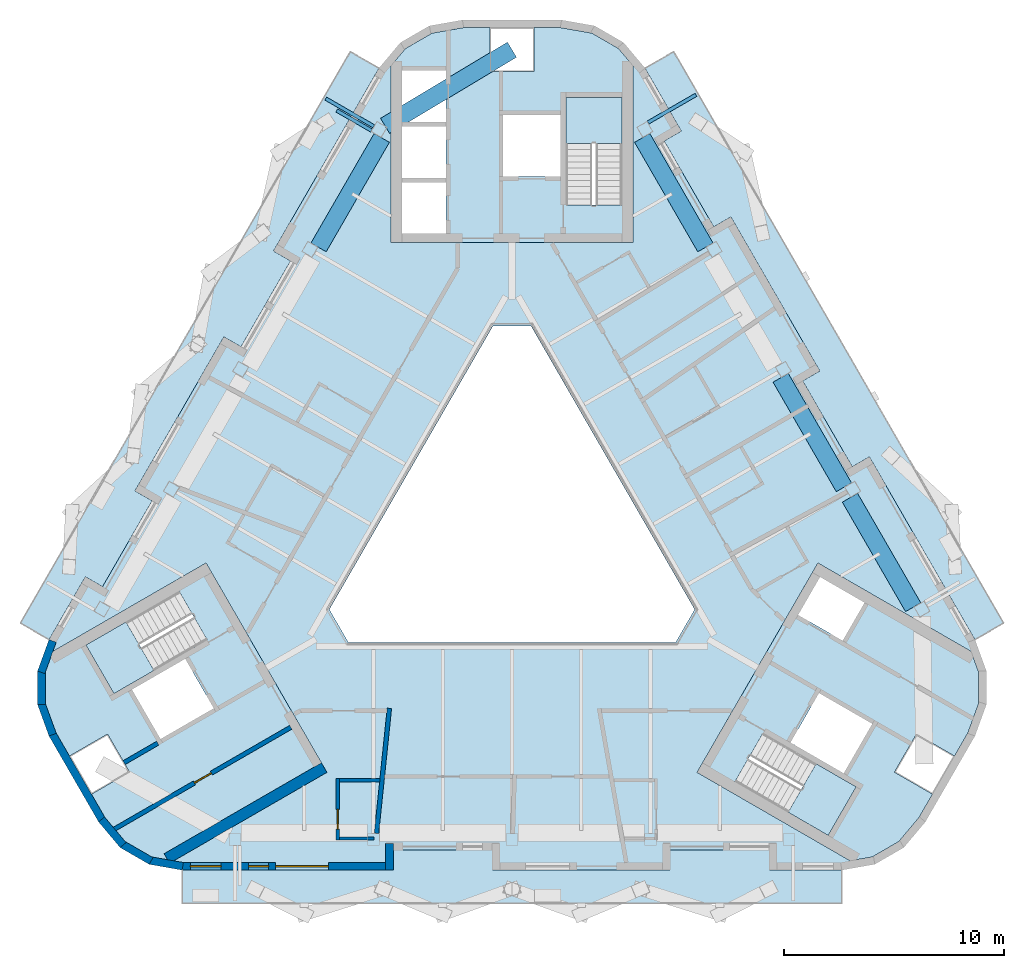
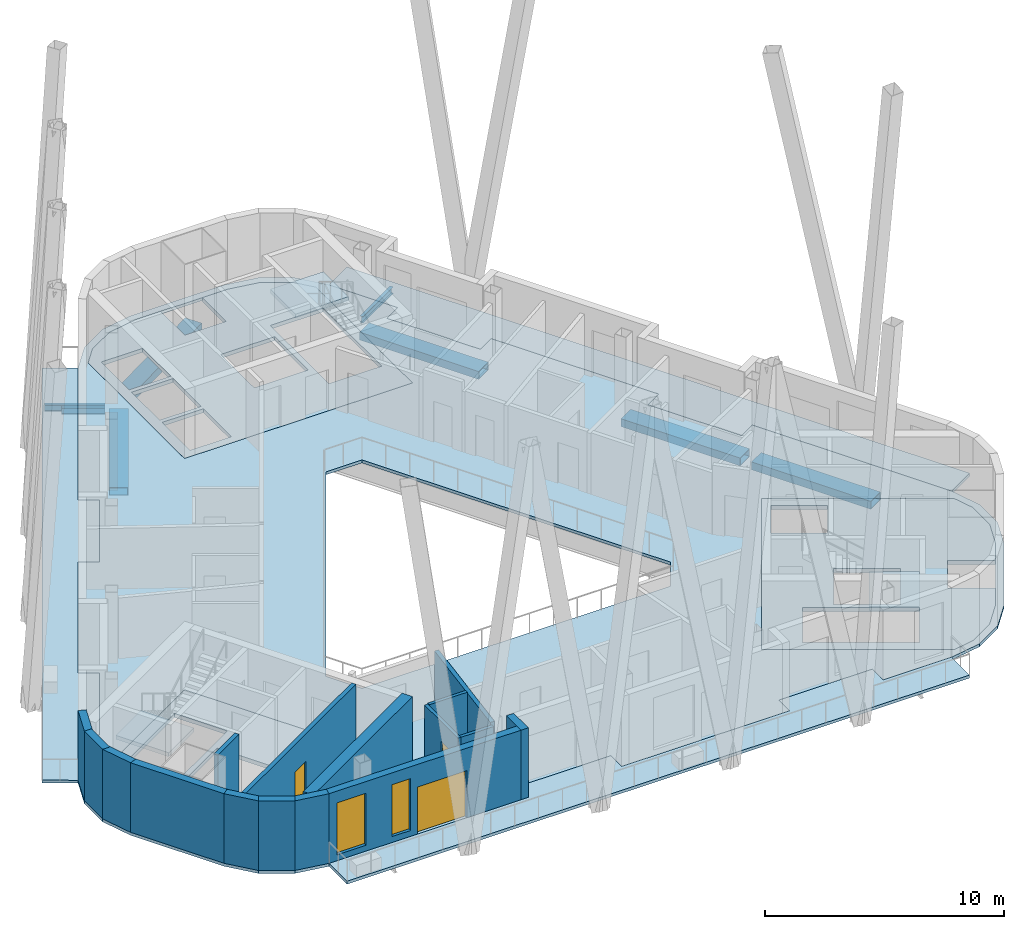
# One storey, part 2 of 12: 16 walls, 10 slabs, 8 beams, 3 doors, 2 windows, 5 openings, 3 elements without a shape of their own.
"""IFC4 building model written with IfcOpenShell, lengths in metres."""

from ifc_helpers import new_model, si_unit, direction, frame, frame_2d, origin, origin_2d, place, context, subcontext, project, spatial, polyline, rectangle, hollow_rectangle, i_section, outline, extrude, material, layer, layer_set, material_profile, profile_set, type_object, element, fill, aggregate, save


model = new_model("IFC4")

# Units and contexts
model_context = context("Model", 3, precision=1e-05, world=origin(), true_north=direction((0.0, 1.0)))
body_context = subcontext(model_context, "Body", "Model", "MODEL_VIEW")
ifc_project = project(units=[si_unit("LENGTHUNIT", "METRE"), si_unit("AREAUNIT", "SQUARE_METRE"), si_unit("VOLUMEUNIT", "CUBIC_METRE"), si_unit("PLANEANGLEUNIT", "RADIAN"), si_unit("MASSUNIT", "GRAM", prefix="KILO")], contexts=[model_context])

# Site, building, storey
site_placement = place(None, origin())
site = spatial("IfcSite", under=ifc_project, at=site_placement, CompositionType="ELEMENT")
building_placement = place(site_placement, origin())
building = spatial("IfcBuilding", under=site, at=building_placement, Name="Apuvela Tower Hotel", CompositionType="ELEMENT")
storey_placement = place(building_placement, frame((0.0, 0.0, 324.39990234375)))
storey = spatial("IfcBuildingStorey", under=building, at=storey_placement, Name="L81", CompositionType="ELEMENT", Elevation=324.39990234375)

# Beams
ifc_material_1 = material(Name="Steel S355", Category="steel")
ifc_material_profile_1 = material_profile(ifc_material_1, i_section(OverallWidth=0.159912109375, OverallDepth=0.330078125, WebThickness=0.007568359375, FlangeThickness=0.011474609375, at=origin_2d()), Name="IPE 330")
ifc_profile_set_1 = profile_set([ifc_material_profile_1], Name="Steel S355")
beam_type_1 = type_object("IfcBeamType", Name="ENV-BALCONY-BEAM-IPE330", PredefinedType="BEAM", material=ifc_profile_set_1)
for number, where, z_axis, x_axis, name in (
    (1, (6.185546875, 18.35693359375, -0.31494140625), (0.866039067339, 0.499976333282, 0.0), (-0.499976333282, 0.866039067339, 0.0), "Balcony cantilever beam NE3 L81"),
    (2, (-6.28564453125, 18.183837890625, -0.31494140625), (-0.866039067339, 0.499976333282, 0.0), (-0.499976333282, -0.866039067339, 0.0), "Balcony cantilever beam NW1 L81"),
):
    element("IfcBeam", number, at=place(storey_placement, frame(where, z_axis=z_axis, x_axis=x_axis)), inside=storey, type_object=beam_type_1, Name=name, PredefinedType="BEAM", context=body_context, shape_type="SweptSolid", body=[
        extrude(i_section(OverallWidth=0.159912109375, OverallDepth=0.330078125, WebThickness=0.007568359375, FlangeThickness=0.011474609375, at=origin_2d()), origin(), (0.0, 0.0, 1.0), 2.52490234375),
    ])
beam_1_placement = place(storey_placement, frame((-6.3955078125, 17.993408203125, -0.31494140625), z_axis=(-0.866069751741, 0.499923179218, 0.0), x_axis=(-0.499923179218, -0.866069751741, 0.0)))
element("IfcBeam", 3, at=beam_1_placement, inside=storey, type_object=beam_type_1, Name="Balcony cantilever beam NW2 L81", PredefinedType="BEAM", context=body_context, shape_type="SweptSolid", body=[
    extrude(i_section(OverallWidth=0.159912109375, OverallDepth=0.330078125, WebThickness=0.007568359375, FlangeThickness=0.011474609375, at=origin_2d()), origin(), (0.0, 0.0, 1.0), 1.824951171875),
])
ifc_material_2 = material(Name="Steel S460", Category="steel")
ifc_material_profile_2 = material_profile(ifc_material_2, hollow_rectangle(XDim=0.800048828125, YDim=0.39990234375, WallThickness=0.02490234375, at=origin_2d()), Name="BOX 800x400x25")
ifc_profile_set_2 = profile_set([ifc_material_profile_2], Name="Steel S460")
beam_type_2 = type_object("IfcBeamType", Name="STR-RB perimeter ring beam BOX 800x400x25", PredefinedType="SPANDREL", material=ifc_profile_set_2)
beam_2_placement = place(storey_placement, frame((18.2548828125, -3.69775390625, -0.39990234375), z_axis=(-0.499973507871, 0.866040698482, 0.0), x_axis=(-0.866040698482, -0.499973507871, 0.0)))
element("IfcBeam", 4, at=beam_2_placement, inside=storey, type_object=beam_type_2, Name="Ring beam RB1 NE1", PredefinedType="SPANDREL", context=body_context, shape_type="SweptSolid", body=[
    extrude(hollow_rectangle(XDim=0.800048828125, YDim=0.39990234375, WallThickness=0.02490234375, at=origin_2d()), origin(), (0.0, 0.0, 1.0), 5.752197265625),
])
for number, where, z_axis, x_axis, name in (
    (5, (15.103759765625, 1.76025390625, -0.39990234375), (-0.500005339912, 0.866022320763, 0.0), (-0.866022320763, -0.500005339912, 0.0), "Ring beam RB1 NE2"),
    (6, (8.80126953125, 12.676513671875, -0.39990234375), (-0.500005339912, 0.866022320763, 0.0), (-0.866022320763, -0.500005339912, 0.0), "Ring beam RB1 NE4"),
    (7, (-5.925048828125, 17.658203125, -0.39990234375), (-0.500005339912, -0.866022320763, 0.0), (0.866022320763, -0.500005339912, 0.0), "Ring beam RB1 NW1"),
):
    element("IfcBeam", number, at=place(storey_placement, frame(where, z_axis=z_axis, x_axis=x_axis)), inside=storey, type_object=beam_type_2, Name=name, PredefinedType="SPANDREL", context=body_context, shape_type="SweptSolid", body=[
        extrude(hollow_rectangle(XDim=0.800048828125, YDim=0.39990234375, WallThickness=0.02490234375, at=origin_2d()), origin(), (0.0, 0.0, 1.0), 5.75244140625),
    ])
beam_3_placement = place(storey_placement, frame((-5.777587890625, 18.2080078125, -0.39990234375), z_axis=(0.85754088229, 0.514415819353, 0.0), x_axis=(-0.514415819353, 0.85754088229, 0.0)))
element("IfcBeam", 8, at=beam_3_placement, inside=storey, type_object=beam_type_2, Name="Ring beam RB1 NW1-N", PredefinedType="SPANDREL", context=body_context, shape_type="SweptSolid", body=[
    extrude(hollow_rectangle(XDim=0.800048828125, YDim=0.39990234375, WallThickness=0.02490234375, at=origin_2d()), origin(), (0.0, 0.0, 1.0), 6.7373046875),
])

# Slabs
ifc_material_3 = material(Name="Concrete C50/60", Category="concrete")
ifc_layer_1 = layer(ifc_material_3, 0.199951171875)
ifc_layer_set_1 = layer_set([ifc_layer_1], Name="COR-FLOOR-200")
slab_type_1 = type_object("IfcSlabType", Name="COR-FLOOR-200", PredefinedType="FLOOR", material=ifc_layer_set_1)
slab_1_placement = place(storey_placement, frame((0.0, 0.0, -0.199951171875)))
element("IfcSlab", 9, at=slab_1_placement, inside=storey, type_object=slab_type_1, Name="Core floor N", PredefinedType="FLOOR", context=body_context, shape_type="SweptSolid", body=[
    extrude(outline(polyline([(4.848876953125, 21.72509765625), (3.635986328125, 22.42529296875), (2.226318359375, 22.673828125), (1.0, 22.673828125), (1.0, 20.673828125), (-1.0, 20.673828125), (-1.0, 22.673828125), (-2.226318359375, 22.673828125), (-3.635986328125, 22.42529296875), (-4.848876953125, 21.72509765625), (-5.5, 20.94921875), (-5.5, 12.89990234375), (5.5, 12.89990234375), (5.5, 20.94921875), (4.848876953125, 21.72509765625)]), holes=[polyline([(-3.0, 13.300048828125), (-5.0, 13.300048828125), (-5.0, 15.639892578125), (-3.0, 15.639892578125), (-3.0, 13.300048828125)]), polyline([(-3.0, 15.840087890625), (-5.0, 15.840087890625), (-5.0, 18.179931640625), (-3.0, 18.179931640625), (-3.0, 15.840087890625)]), polyline([(5.0, 14.60595703125), (2.449951171875, 14.60595703125), (2.449951171875, 19.5), (5.0, 19.5), (5.0, 14.60595703125)]), polyline([(2.199951171875, 18.699951171875), (2.199951171875, 15.89990234375), (-0.39990234375, 15.89990234375), (-0.39990234375, 18.699951171875), (2.199951171875, 18.699951171875)]), polyline([(-3.0, 20.719970703125), (-3.0, 18.3798828125), (-5.0, 18.3798828125), (-5.0, 20.719970703125), (-3.0, 20.719970703125)])]), origin(), (0.0, 0.0, 1.0), 0.199951171875),
])
slab_2_placement = place(storey_placement, frame((0.0, 0.0, -0.199951171875)))
element("IfcSlab", 10, at=slab_2_placement, inside=storey, type_object=slab_type_1, Name="Core floor SW", PredefinedType="FLOOR", context=body_context, shape_type="SweptSolid", body=[
    extrude(outline(polyline([(-21.239013671875, -6.663330078125), (-21.239013671875, -8.063720703125), (-20.749267578125, -9.408935546875), (-20.135986328125, -10.470947265625), (-18.404052734375, -9.470947265625), (-17.404052734375, -11.202880859375), (-19.135986328125, -12.202880859375), (-18.52294921875, -13.264892578125), (-17.602783203125, -14.361572265625), (-16.389892578125, -15.061767578125), (-15.392578125, -15.23779296875), (-8.421630859375, -11.213134765625), (-13.921630859375, -1.68701171875), (-20.892578125, -5.71142578125), (-21.239013671875, -6.663330078125)]), holes=[polyline([(-13.874267578125, -5.18115234375), (-18.112548828125, -7.628173828125), (-19.387451171875, -5.419921875), (-15.149169921875, -2.972900390625), (-13.874267578125, -5.18115234375)]), polyline([(-13.56982421875, -8.29638671875), (-15.99462890625, -9.6962890625), (-17.294677734375, -7.444580078125), (-14.869873046875, -6.044677734375), (-13.56982421875, -8.29638671875)])]), origin(), (0.0, 0.0, 1.0), 0.199951171875),
])
slab_3_placement = place(storey_placement, frame((0.0, 0.0, -0.199951171875)))
element("IfcSlab", 11, at=slab_3_placement, inside=storey, type_object=slab_type_1, Name="Core floor SE", PredefinedType="FLOOR", context=body_context, shape_type="SweptSolid", body=[
    extrude(outline(polyline([(16.389892578125, -15.061767578125), (17.602783203125, -14.361572265625), (18.52294921875, -13.264892578125), (19.135986328125, -12.202880859375), (17.404052734375, -11.202880859375), (18.404052734375, -9.470947265625), (20.135986328125, -10.470947265625), (20.749267578125, -9.408935546875), (21.239013671875, -8.063720703125), (21.239013671875, -6.663330078125), (20.892578125, -5.71142578125), (13.921630859375, -1.68701171875), (8.421630859375, -11.213134765625), (15.392578125, -15.23779296875), (16.389892578125, -15.061767578125)]), holes=[polyline([(14.01806640625, -2.31982421875), (16.044677734375, -3.489990234375), (15.044677734375, -5.221923828125), (13.01806640625, -4.052001953125), (14.01806640625, -2.31982421875)]), polyline([(10.149169921875, -11.633056640625), (11.42431640625, -9.4248046875), (15.66259765625, -11.871826171875), (14.387451171875, -14.080078125), (10.149169921875, -11.633056640625)]), polyline([(12.669921875, -9.855224609375), (13.9697265625, -7.603515625), (16.394775390625, -9.003662109375), (15.0947265625, -11.25537109375), (12.669921875, -9.855224609375)])]), origin(), (0.0, 0.0, 1.0), 0.199951171875),
])

# Stair, slab
stair_type = type_object("IfcStairType", Name="COR-STAIR-22R", PredefinedType="HALF_TURN_STAIR", material=ifc_material_3)
stair_1_placement = place(storey_placement, origin())
stair_1 = element("IfcStair", 12, at=stair_1_placement, inside=storey, type_object=stair_type, Name="L81 Exit stair ST1", PredefinedType="HALF_TURN_STAIR")
ifc_layer_2 = layer(ifc_material_3, 0.199951171875)
ifc_layer_set_2 = layer_set([ifc_layer_2], Name="COR-LANDING-200")
slab_type_2 = type_object("IfcSlabType", Name="COR-LANDING-200", PredefinedType="LANDING", material=ifc_layer_set_2)
slab_4_placement = place(storey_placement, frame((0.0, 0.0, 1.650146484375)))
slab_4 = element("IfcSlab", 13, at=slab_4_placement, type_object=slab_type_2, Name="ST1 landing 1", PredefinedType="LANDING", context=body_context, shape_type="SweptSolid", body=[
    extrude(outline(polyline([(5.0, 17.39404296875), (5.0, 19.5), (2.449951171875, 19.5), (2.449951171875, 17.39404296875), (5.0, 17.39404296875)])), origin(), (0.0, 0.0, 1.0), 0.199951171875),
])
aggregate(stair_1, [slab_4])

stair_2_placement = place(storey_placement, origin())
stair_2 = element("IfcStair", 14, at=stair_2_placement, inside=storey, type_object=stair_type, Name="L81 Exit stair ST2", PredefinedType="HALF_TURN_STAIR")
slab_5_placement = place(storey_placement, frame((0.0, 0.0, 1.650146484375)))
slab_5 = element("IfcSlab", 15, at=slab_5_placement, type_object=slab_type_2, Name="ST2 landing 1", PredefinedType="LANDING", context=body_context, shape_type="SweptSolid", body=[
    extrude(outline(polyline([(-17.563720703125, -4.366943359375), (-19.387451171875, -5.419921875), (-18.112548828125, -7.628173828125), (-16.28857421875, -6.5751953125), (-17.563720703125, -4.366943359375)])), origin(), (0.0, 0.0, 1.0), 0.199951171875),
])
aggregate(stair_2, [slab_5])

stair_3_placement = place(storey_placement, origin())
stair_3 = element("IfcStair", 16, at=stair_3_placement, inside=storey, type_object=stair_type, Name="L81 Exit stair ST3", PredefinedType="HALF_TURN_STAIR")
slab_6_placement = place(storey_placement, frame((0.0, 0.0, 1.650146484375)))
slab_6 = element("IfcSlab", 17, at=slab_6_placement, type_object=slab_type_2, Name="ST3 landing 1", PredefinedType="LANDING", context=body_context, shape_type="SweptSolid", body=[
    extrude(outline(polyline([(12.563720703125, -13.027099609375), (14.387451171875, -14.080078125), (15.66259765625, -11.871826171875), (13.838623046875, -10.81884765625), (12.563720703125, -13.027099609375)])), origin(), (0.0, 0.0, 1.0), 0.199951171875),
])
aggregate(stair_3, [slab_6])

# Slabs
ifc_material_4 = material(Name="Concrete C40/50, fair-faced", Category="concrete")
ifc_layer_3 = layer(ifc_material_4, 0.14990234375)
ifc_layer_set_3 = layer_set([ifc_layer_3], Name="ENV-BALCONY-150")
slab_type_3 = type_object("IfcSlabType", Name="ENV-BALCONY-150", PredefinedType="FLOOR", material=ifc_layer_set_3)
slab_7_placement = place(storey_placement, frame((0.0, 0.0, -0.14990234375)))
element("IfcSlab", 18, at=slab_7_placement, inside=storey, type_object=slab_type_3, Name="Balcony slab S L81", PredefinedType="FLOOR", context=body_context, shape_type="SweptSolid", body=[
    extrude(outline(polyline([(-15.015869140625, -15.655517578125), (-5.407470703125, -15.655517578125), (-5.407470703125, -14.75537109375), (-0.89501953125, -14.75537109375), (-0.89501953125, -15.655517578125), (7.197509765625, -15.655517578125), (7.197509765625, -14.75537109375), (11.7099609375, -14.75537109375), (11.7099609375, -15.655517578125), (15.015869140625, -15.655517578125), (15.015869140625, -17.165283203125), (-15.015869140625, -17.165283203125), (-15.015869140625, -15.655517578125)])), origin(), (0.0, 0.0, 1.0), 0.14990234375),
])
slab_8_placement = place(storey_placement, frame((0.0, 0.0, -0.14990234375)))
element("IfcSlab", 19, at=slab_8_placement, inside=storey, type_object=slab_type_3, Name="Balcony slab NE L81", PredefinedType="FLOOR", context=body_context, shape_type="SweptSolid", body=[
    extrude(outline(polyline([(14.00537109375, 7.052490234375), (9.959228515625, 14.060791015625), (9.1796875, 13.61083984375), (6.923583984375, 17.518798828125), (7.702880859375, 17.96875), (6.050048828125, 20.831787109375), (7.357666015625, 21.5869140625), (22.37353515625, -4.42138671875), (21.06591796875, -5.176513671875), (16.26171875, 3.144775390625), (15.482421875, 2.694580078125), (13.22607421875, 6.6025390625), (14.00537109375, 7.052490234375)])), origin(), (0.0, 0.0, 1.0), 0.14990234375),
])
slab_9_placement = place(storey_placement, frame((0.0, 0.0, -0.14990234375)))
element("IfcSlab", 20, at=slab_9_placement, inside=storey, type_object=slab_type_3, Name="Balcony slab NW L81", PredefinedType="FLOOR", context=body_context, shape_type="SweptSolid", body=[
    extrude(outline(polyline([(-22.37353515625, -4.42138671875), (-7.357666015625, 21.5869140625), (-6.050048828125, 20.831787109375), (-10.854248046875, 12.5107421875), (-10.07470703125, 12.060791015625), (-12.3310546875, 8.152587890625), (-13.110595703125, 8.602783203125), (-17.15673828125, 1.594482421875), (-16.377197265625, 1.14453125), (-18.633544921875, -2.763427734375), (-19.412841796875, -2.3134765625), (-21.06591796875, -5.176513671875), (-22.37353515625, -4.42138671875)])), origin(), (0.0, 0.0, 1.0), 0.14990234375),
])
ifc_material_5 = material(Name="Concrete C35/45", Category="concrete")
ifc_layer_4 = layer(ifc_material_5, 0.14990234375)
ifc_layer_set_4 = layer_set([ifc_layer_4], Name="STR-SLAB 150 floor Concrete C35/45")
slab_type_4 = type_object("IfcSlabType", Name="STR-SLAB 150 floor Concrete C35/45", PredefinedType="FLOOR", material=ifc_layer_set_4)
slab_10_placement = place(storey_placement, frame((0.0, 0.0, -0.14990234375)))
element("IfcSlab", 21, at=slab_10_placement, inside=storey, type_object=slab_type_4, Name="Floor slab S4 L81", PredefinedType="FLOOR", context=body_context, shape_type="SweptSolid", body=[
    extrude(outline(polyline([(-5.077392578125, 21.997314453125), (-3.757568359375, 22.75927734375), (-2.2568359375, 23.02392578125), (2.2568359375, 23.02392578125), (3.757568359375, 22.75927734375), (5.077392578125, 21.997314453125), (6.056884765625, 20.830078125), (7.709716796875, 17.967041015625), (6.930419921875, 17.51708984375), (9.181640625, 13.61767578125), (9.961181640625, 14.067626953125), (14.01220703125, 7.05078125), (13.23291015625, 6.600830078125), (15.484130859375, 2.701416015625), (16.263427734375, 3.151611328125), (21.067626953125, -5.169677734375), (21.5888671875, -6.6015625), (21.5888671875, -8.12548828125), (21.067626953125, -9.557373046875), (18.810791015625, -13.466552734375), (17.831298828125, -14.6337890625), (16.51171875, -15.395751953125), (15.010986328125, -15.660400390625), (11.704833984375, -15.660400390625), (11.704833984375, -14.760498046875), (7.202392578125, -14.760498046875), (7.202392578125, -15.660400390625), (-0.89990234375, -15.660400390625), (-0.89990234375, -14.760498046875), (-5.402587890625, -14.760498046875), (-5.402587890625, -15.660400390625), (-15.010986328125, -15.660400390625), (-16.51171875, -15.395751953125), (-17.831298828125, -14.6337890625), (-18.810791015625, -13.466552734375), (-21.067626953125, -9.557373046875), (-21.5888671875, -8.12548828125), (-21.5888671875, -6.6015625), (-21.067626953125, -5.169677734375), (-19.414794921875, -2.306640625), (-18.63525390625, -2.756591796875), (-16.384033203125, 1.142578125), (-17.16357421875, 1.5927734375), (-13.1123046875, 8.609619140625), (-12.3330078125, 8.15966796875), (-10.08154296875, 12.058837890625), (-10.861083984375, 12.5087890625), (-6.056884765625, 20.830078125), (-5.077392578125, 21.997314453125)]), holes=[polyline([(0.865966796875, 9.10009765625), (-0.865966796875, 9.10009765625), (-8.313720703125, -3.800048828125), (-7.44775390625, -5.300048828125), (7.44775390625, -5.300048828125), (8.313720703125, -3.800048828125), (0.865966796875, 9.10009765625)]), polyline([(-5.5, 12.89990234375), (-5.5, 20.94921875), (-4.848876953125, 21.72509765625), (-3.635986328125, 22.42529296875), (-2.226318359375, 22.673828125), (2.226318359375, 22.673828125), (3.635986328125, 22.42529296875), (4.848876953125, 21.72509765625), (5.5, 20.94921875), (5.5, 12.89990234375), (-5.5, 12.89990234375)]), polyline([(-8.421630859375, -11.213134765625), (-15.392578125, -15.23779296875), (-16.389892578125, -15.061767578125), (-17.602783203125, -14.361572265625), (-18.52294921875, -13.264892578125), (-20.749267578125, -9.408935546875), (-21.239013671875, -8.063720703125), (-21.239013671875, -6.663330078125), (-20.892578125, -5.71142578125), (-13.921630859375, -1.68701171875), (-8.421630859375, -11.213134765625)]), polyline([(13.921630859375, -1.68701171875), (20.892578125, -5.71142578125), (21.239013671875, -6.663330078125), (21.239013671875, -8.063720703125), (20.749267578125, -9.408935546875), (18.52294921875, -13.264892578125), (17.602783203125, -14.361572265625), (16.389892578125, -15.061767578125), (15.392578125, -15.23779296875), (8.421630859375, -11.213134765625), (13.921630859375, -1.68701171875)])]), origin(), (0.0, 0.0, 1.0), 0.14990234375),
])

# Wall
ifc_layer_5 = layer(ifc_material_3, 0.5)
ifc_layer_set_5 = layer_set([ifc_layer_5], Name="COR-WALL-CORE-500")
wall_type_1 = type_object("IfcWallType", Name="COR-WALL-CORE-500", PredefinedType="SHEAR", material=ifc_layer_set_5)
wall_1_placement = place(storey_placement, frame((-8.546630859375, -10.99658203125, 0.0), z_axis=(0.0, 0.0, 1.0), x_axis=(-0.866030186143, -0.49999171662, 0.0)))
element("IfcWall", 22, at=wall_1_placement, inside=storey, type_object=wall_type_1, Name="Core wall SW", PredefinedType="SHEAR", context=body_context, shape_type="SweptSolid", body=[
    extrude(rectangle(XDim=8.267333984375, YDim=0.5, at=frame_2d((4.1337890625, 0.0))), origin(), (0.0, 0.0, 1.0), 3.5),
])

# Wall, opening, door
ifc_layer_6 = layer(ifc_material_3, 0.199951171875)
ifc_layer_set_6 = layer_set([ifc_layer_6], Name="COR-WALL-SHAFT-200")
wall_type_2 = type_object("IfcWallType", Name="COR-WALL-SHAFT-200", PredefinedType="SHEAR", material=ifc_layer_set_6)
wall_2_placement = place(storey_placement, frame((-10.068115234375, -9.16162109375, 0.0), z_axis=(0.0, 0.0, 1.0), x_axis=(-0.866027741594, -0.499995950774, 0.0)))
wall_2 = element("IfcWall", 23, at=wall_2_placement, inside=storey, type_object=wall_type_2, Name="Shaft wall SW", PredefinedType="SHEAR", context=body_context, shape_type="SweptSolid", body=[
    extrude(rectangle(XDim=9.2724609375, YDim=0.199951171875, at=frame_2d((4.63623046875, 0.0))), origin(), (0.0, 0.0, 1.0), 3.5),
])
opening_1_placement = place(wall_2_placement, frame((4.168701171875, 0.0, 0.0)))
opening_1 = element("IfcOpeningElement", 24, at=opening_1_placement, cuts=wall_2, Name="Opening W-RE1", PredefinedType="OPENING", context=body_context, shape_type="SweptSolid", body=[
    extrude(rectangle(XDim=0.89990234375, YDim=2.10009765625, at=frame_2d((0.449951171875, 1.050048828125))), frame((0.0, 0.10986328125, 0.0), z_axis=(0.0, -1.0, 0.0), x_axis=(1.0, 0.0, 0.0)), (0.0, 0.0, 1.0), 0.219970703125),
])
ifc_material_6 = material(Name="Steel fire door, powder coated", Category="steel")
door_type_1 = type_object("IfcDoorType", Name="COR-DR-900", OperationType="NOTDEFINED", PredefinedType="DOOR", material=ifc_material_6)
door_1_placement = place(opening_1_placement, origin())
door_1 = element("IfcDoor", 25, at=door_1_placement, inside=storey, type_object=door_type_1, Name="Store door W-RE1", OperationType="SINGLE_SWING_LEFT", OverallHeight=2.10009765625, OverallWidth=0.89990234375, PredefinedType="DOOR", context=body_context, shape_type="SweptSolid", body=[
    extrude(rectangle(XDim=0.89990234375, YDim=2.10009765625, at=frame_2d((0.449951171875, 1.050048828125))), frame((0.0, 0.02490234375, 0.0), z_axis=(0.0, -1.0, 0.0), x_axis=(1.0, 0.0, 0.0)), (0.0, 0.0, 1.0), 0.050048828125),
])
fill(opening_1, door_1)

# Walls
wall_3_placement = place(storey_placement, frame((-16.117919921875, -9.883056640625, 0.0), z_axis=(0.0, 0.0, 1.0), x_axis=(-0.86600680221, -0.500032217487, 0.0)))
element("IfcWall", 26, at=wall_3_placement, inside=storey, type_object=wall_type_2, Name="Shaft wall SW", PredefinedType="SHEAR", context=body_context, shape_type="SweptSolid", body=[
    extrude(rectangle(XDim=1.77392578125, YDim=0.199951171875, at=frame_2d((0.886962890625, 0.0))), origin(), (0.0, 0.0, 1.0), 3.5),
])
ifc_material_7 = material(Name="Concrete C40/50, dark pigmented precast panel", Category="concrete")
ifc_layer_7 = layer(ifc_material_7, 0.35009765625)
ifc_layer_set_7 = layer_set([ifc_layer_7], Name="ENV-WALL-350")
wall_type_3 = type_object("IfcWallType", Name="ENV-WALL-350", PredefinedType="SOLIDWALL", material=ifc_layer_set_7)
for number, where, z_axis, x_axis, name in (
    (27, (-20.9033203125, -5.2294921875, 0.0), (0.0, 0.0, 1.0), (-0.342013156287, -0.939695163831, 0.0), "External wall L81-10"),
    (28, (-21.413818359375, -6.6015625, 0.0), (0.0, 0.0, 1.0), (0.0, -1.0, 0.0), "External wall L81-11"),
    (29, (-21.424560546875, -8.0654296875, 0.0), (0.0, 0.0, 1.0), (0.342013156287, -0.939695163831, 0.0), "External wall L81-12"),
):
    element("IfcWall", number, at=place(storey_placement, frame(where, z_axis=z_axis, x_axis=x_axis)), inside=storey, type_object=wall_type_3, Name=name, PredefinedType="SOLIDWALL", context=body_context, shape_type="SweptSolid", body=[
        extrude(rectangle(XDim=1.52392578125, YDim=0.35009765625, at=frame_2d((0.761962890625, 0.0))), origin(), (0.0, 0.0, 1.0), 3.550048828125),
    ])
wall_4_placement = place(storey_placement, frame((-20.916259765625, -9.469970703125, 0.0), z_axis=(0.0, 0.0, 1.0), x_axis=(0.500042384281, -0.866000931825, 0.0)))
element("IfcWall", 30, at=wall_4_placement, inside=storey, type_object=wall_type_3, Name="External wall L81-13", PredefinedType="SOLIDWALL", context=body_context, shape_type="SweptSolid", body=[
    extrude(rectangle(XDim=4.513671875, YDim=0.35009765625, at=frame_2d((2.2568359375, 0.0))), origin(), (0.0, 0.0, 1.0), 3.550048828125),
])
wall_5_placement = place(storey_placement, frame((-18.6767578125, -13.35400390625, 0.0), z_axis=(0.0, 0.0, 1.0), x_axis=(0.642812493629, -0.766023562323, 0.0)))
element("IfcWall", 31, at=wall_5_placement, inside=storey, type_object=wall_type_3, Name="External wall L81-14", PredefinedType="SOLIDWALL", context=body_context, shape_type="SweptSolid", body=[
    extrude(rectangle(XDim=1.523681640625, YDim=0.35009765625, at=frame_2d((0.76171875, 0.0))), origin(), (0.0, 0.0, 1.0), 3.550048828125),
])
for number, where, z_axis, x_axis, name in (
    (32, (-17.743896484375, -14.482421875, 0.0), (0.0, 0.0, 1.0), (0.8661055579, -0.499861143294, 0.0), "External wall L81-15"),
    (33, (-16.481201171875, -15.223388671875, 0.0), (0.0, 0.0, 1.0), (0.984804518596, -0.173666519954, 0.0), "External wall L81-16"),
):
    element("IfcWall", number, at=place(storey_placement, frame(where, z_axis=z_axis, x_axis=x_axis)), inside=storey, type_object=wall_type_3, Name=name, PredefinedType="SOLIDWALL", context=body_context, shape_type="SweptSolid", body=[
        extrude(rectangle(XDim=1.52392578125, YDim=0.35009765625, at=frame_2d((0.761962890625, 0.0))), origin(), (0.0, 0.0, 1.0), 3.550048828125),
    ])

# Wall, openings, door, windows
wall_6_placement = place(storey_placement, frame((-15.010986328125, -15.4853515625, 0.0), z_axis=(0.0, 0.0, 1.0), x_axis=(1.0, 0.0, 0.0)))
wall_6 = element("IfcWall", 34, at=wall_6_placement, inside=storey, type_object=wall_type_3, Name="External wall L81-17", PredefinedType="SOLIDWALL", context=body_context, shape_type="SweptSolid", body=[
    extrude(rectangle(XDim=9.6083984375, YDim=0.35009765625, at=frame_2d((4.80419921875, 0.0))), origin(), (0.0, 0.0, 1.0), 3.550048828125),
])
opening_2_placement = place(wall_6_placement, frame((0.38037109375, 0.0, 0.300048828125)))
opening_2 = element("IfcOpeningElement", 35, at=opening_2_placement, cuts=wall_6, Name="Opening WN14", PredefinedType="OPENING", context=body_context, shape_type="SweptSolid", body=[
    extrude(rectangle(XDim=1.39990234375, YDim=2.64990234375, at=frame_2d((0.699951171875, 1.324951171875))), frame((0.0, 0.18505859375, 0.0), z_axis=(0.0, -1.0, 0.0), x_axis=(1.0, 0.0, 0.0)), (0.0, 0.0, 1.0), 0.3701171875),
])
opening_3_placement = place(wall_6_placement, frame((4.251220703125, 0.0, 0.0)))
opening_3 = element("IfcOpeningElement", 36, at=opening_3_placement, cuts=wall_6, Name="Opening BD24", PredefinedType="OPENING", context=body_context, shape_type="SweptSolid", body=[
    extrude(rectangle(XDim=2.39990234375, YDim=2.39990234375, at=frame_2d((1.199951171875, 1.199951171875))), frame((0.0, 0.18505859375, 0.0), z_axis=(0.0, -1.0, 0.0), x_axis=(1.0, 0.0, 0.0)), (0.0, 0.0, 1.0), 0.3701171875),
])
opening_4_placement = place(wall_6_placement, frame((3.03076171875, 0.0, 0.300048828125)))
opening_4 = element("IfcOpeningElement", 37, at=opening_4_placement, cuts=wall_6, Name="Opening WN09", PredefinedType="OPENING", context=body_context, shape_type="SweptSolid", body=[
    extrude(rectangle(XDim=0.89990234375, YDim=2.64990234375, at=frame_2d((0.449951171875, 1.324951171875))), frame((0.0, 0.18505859375, 0.0), z_axis=(0.0, -1.0, 0.0), x_axis=(1.0, 0.0, 0.0)), (0.0, 0.0, 1.0), 0.3701171875),
])
ifc_material_8 = material(Name="Aluminium 6063-T6, dark bronze anodised frame with dark tinted laminated glass", Category="aluminium")
door_type_2 = type_object("IfcDoorType", Name="ENV-DOOR-BALCONY-2400x2400", OperationType="SLIDING_TO_LEFT", PredefinedType="DOOR", material=ifc_material_8)
door_2_placement = place(opening_3_placement, frame((2.39990234375, 0.0, 0.0), z_axis=(0.0, 0.0, 1.0), x_axis=(-1.0, 0.0, 0.0)))
door_2 = element("IfcDoor", 38, at=door_2_placement, inside=storey, type_object=door_type_2, Name="Balcony door BD24", OperationType="SLIDING_TO_LEFT", OverallHeight=2.39990234375, OverallWidth=2.39990234375, PredefinedType="DOOR", context=body_context, shape_type="SweptSolid", body=[
    extrude(rectangle(XDim=2.39990234375, YDim=2.39990234375, at=frame_2d((1.199951171875, 1.199951171875))), frame((0.0, 0.02490234375, 0.0), z_axis=(0.0, -1.0, 0.0), x_axis=(1.0, 0.0, 0.0)), (0.0, 0.0, 1.0), 0.050048828125),
])
fill(opening_3, door_2)
ifc_material_9 = material(Name="Glass, dark tinted laminated insulated glazing unit", Category="glass")
window_type_1 = type_object("IfcWindowType", Name="ENV-WIN-1400x2650", PartitioningType="SINGLE_PANEL", PredefinedType="WINDOW", material=ifc_material_9)
window_1_placement = place(opening_2_placement, origin())
window_1 = element("IfcWindow", 39, at=window_1_placement, inside=storey, type_object=window_type_1, Name="Window WN14", OverallHeight=2.64990234375, OverallWidth=1.39990234375, PartitioningType="SINGLE_PANEL", PredefinedType="WINDOW", context=body_context, shape_type="SweptSolid", body=[
    extrude(rectangle(XDim=1.39990234375, YDim=2.64990234375, at=frame_2d((0.699951171875, 1.324951171875))), frame((0.0, 0.030029296875, 0.0), z_axis=(0.0, -1.0, 0.0), x_axis=(1.0, 0.0, 0.0)), (0.0, 0.0, 1.0), 0.06005859375),
])
fill(opening_2, window_1)
window_type_2 = type_object("IfcWindowType", Name="ENV-WIN-900x2650", PartitioningType="SINGLE_PANEL", PredefinedType="WINDOW", material=ifc_material_9)
window_2_placement = place(opening_4_placement, origin())
window_2 = element("IfcWindow", 40, at=window_2_placement, inside=storey, type_object=window_type_2, Name="Window WN09", OverallHeight=2.64990234375, OverallWidth=0.89990234375, PartitioningType="SINGLE_PANEL", PredefinedType="WINDOW", context=body_context, shape_type="SweptSolid", body=[
    extrude(rectangle(XDim=0.89990234375, YDim=2.64990234375, at=frame_2d((0.449951171875, 1.324951171875))), frame((0.0, 0.030029296875, 0.0), z_axis=(0.0, -1.0, 0.0), x_axis=(1.0, 0.0, 0.0)), (0.0, 0.0, 1.0), 0.06005859375),
])
fill(opening_4, window_2)

# Walls
wall_7_placement = place(storey_placement, frame((-5.577392578125, -15.660400390625, 0.0), z_axis=(0.0, 0.0, 1.0), x_axis=(0.0, 1.0, 0.0)))
element("IfcWall", 41, at=wall_7_placement, inside=storey, type_object=wall_type_3, Name="External wall L81-18", PredefinedType="SOLIDWALL", context=body_context, shape_type="SweptSolid", body=[
    extrude(rectangle(XDim=1.219970703125, YDim=0.35009765625, at=frame_2d((0.60986328125, 0.0))), origin(), (0.0, 0.0, 1.0), 3.550048828125),
])
ifc_material_10 = material(Name="Gypsum board partition on twin steel stud", Category="steel")
ifc_layer_8 = layer(ifc_material_10, 0.199951171875)
ifc_layer_set_8 = layer_set([ifc_layer_8], Name="GST-PW1")
wall_type_4 = type_object("IfcWallType", Name="GST-PW1", PredefinedType="PARTITIONING", material=ifc_layer_set_8)
wall_8_placement = place(storey_placement, frame((-6.165771484375, -13.9853515625, 0.0), z_axis=(0.0, 0.0, 1.0), x_axis=(0.102603302072, 0.994722354431, 0.0)))
element("IfcWall", 42, at=wall_8_placement, inside=storey, type_object=wall_type_4, Name="L81 partition 01", PredefinedType="PARTITIONING", context=body_context, shape_type="SweptSolid", body=[
    extrude(rectangle(XDim=5.715576171875, YDim=0.199951171875, at=frame_2d((2.85791015625, 0.0))), origin(), (0.0, 0.0, 1.0), 3.10009765625),
])

# Wall, opening, door
ifc_material_11 = material(Name="Moisture-resistant gypsum board wet wall on steel stud", Category="steel")
ifc_layer_9 = layer(ifc_material_11, 0.14990234375)
ifc_layer_set_9 = layer_set([ifc_layer_9], Name="GST-PW3")
wall_type_5 = type_object("IfcWallType", Name="GST-PW3", PredefinedType="PARTITIONING", material=ifc_layer_set_9)
wall_9_placement = place(storey_placement, frame((-7.93505859375, -11.5, 0.0), z_axis=(0.0, 0.0, 1.0), x_axis=(0.0, -1.0, 0.0)))
wall_9 = element("IfcWall", 43, at=wall_9_placement, inside=storey, type_object=wall_type_5, Name="L81 partition 12", PredefinedType="PARTITIONING", context=body_context, shape_type="SweptSolid", body=[
    extrude(rectangle(XDim=2.800048828125, YDim=0.14990234375, at=frame_2d((1.39990234375, 0.0))), origin(), (0.0, 0.0, 1.0), 3.10009765625),
])
opening_5_placement = place(wall_9_placement, frame((1.39990234375, 0.0, 0.0)))
opening_5 = element("IfcOpeningElement", 44, at=opening_5_placement, cuts=wall_9, Name="Opening GD35-01", PredefinedType="OPENING", context=body_context, shape_type="SweptSolid", body=[
    extrude(rectangle(XDim=0.89990234375, YDim=2.10009765625, at=frame_2d((0.449951171875, 1.050048828125))), frame((0.0, 0.0849609375, 0.0), z_axis=(0.0, -1.0, 0.0), x_axis=(1.0, 0.0, 0.0)), (0.0, 0.0, 1.0), 0.169921875),
])
ifc_material_12 = material(Name="Timber door leaf in steel frame", Category="steel")
door_type_3 = type_object("IfcDoorType", Name="GST-D2", OperationType="NOTDEFINED", PredefinedType="DOOR", material=ifc_material_12)
door_3_placement = place(opening_5_placement, origin())
door_3 = element("IfcDoor", 45, at=door_3_placement, inside=storey, type_object=door_type_3, Name="Door L81-01", OperationType="SINGLE_SWING_RIGHT", OverallHeight=2.10009765625, OverallWidth=0.89990234375, PredefinedType="DOOR", context=body_context, shape_type="SweptSolid", body=[
    extrude(rectangle(XDim=0.89990234375, YDim=2.10009765625, at=frame_2d((0.449951171875, 1.050048828125))), frame((0.0, 0.02490234375, 0.0), z_axis=(0.0, -1.0, 0.0), x_axis=(1.0, 0.0, 0.0)), (0.0, 0.0, 1.0), 0.050048828125),
])
fill(opening_5, door_3)

# Walls
wall_10_placement = place(storey_placement, frame((-7.860107421875, -14.22509765625, 0.0), z_axis=(0.0, 0.0, 1.0), x_axis=(1.0, 0.0, 0.0)))
element("IfcWall", 46, at=wall_10_placement, inside=storey, type_object=wall_type_5, Name="L81 partition 13", PredefinedType="PARTITIONING", context=body_context, shape_type="SweptSolid", body=[
    extrude(rectangle(XDim=1.569091796875, YDim=0.14990234375, at=frame_2d((0.78466796875, 0.0))), origin(), (0.0, 0.0, 1.0), 3.10009765625),
])
wall_11_placement = place(storey_placement, frame((-7.860107421875, -11.574951171875, 0.0), z_axis=(0.0, 0.0, 1.0), x_axis=(1.0, 0.0, 0.0)))
element("IfcWall", 47, at=wall_11_placement, inside=storey, type_object=wall_type_5, Name="L81 partition 14", PredefinedType="PARTITIONING", context=body_context, shape_type="SweptSolid", body=[
    extrude(rectangle(XDim=1.842529296875, YDim=0.14990234375, at=frame_2d((0.92138671875, 0.0))), origin(), (0.0, 0.0, 1.0), 3.150146484375),
])

save(model, "model.ifc")
